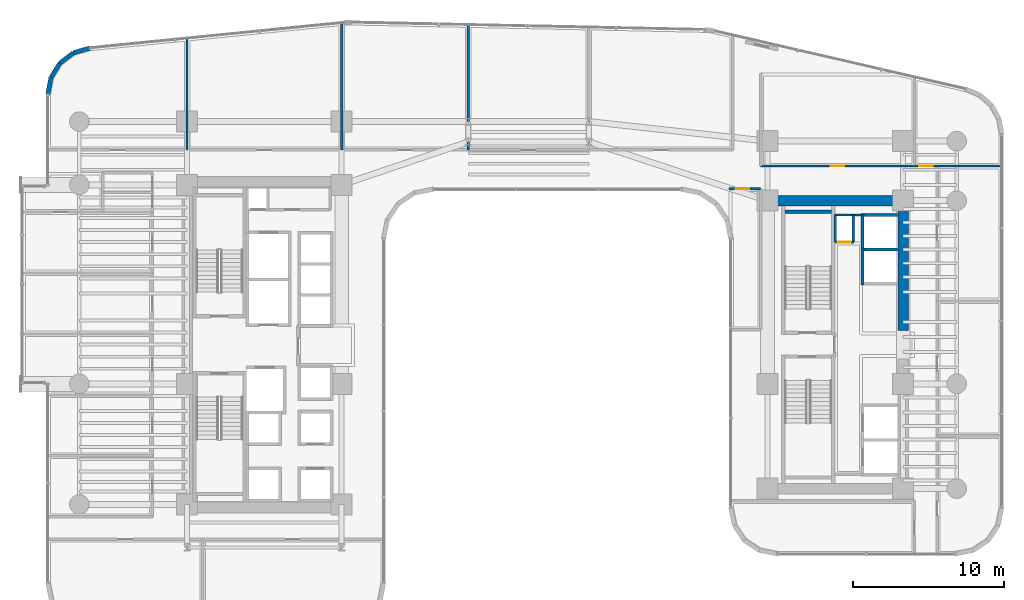
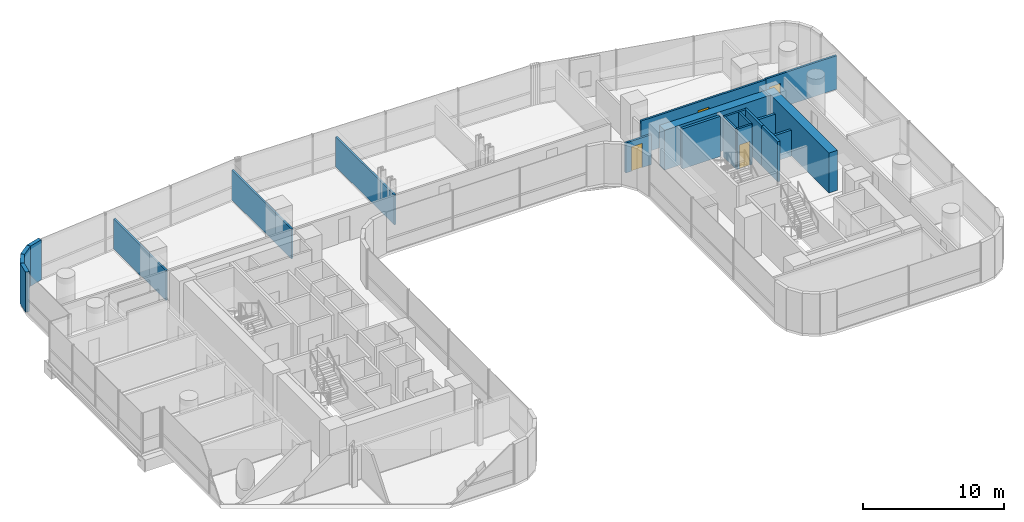
# One storey, part 32 of 38: 21 walls, 4 doors, 4 openings.
"""IFC4 building model written with IfcOpenShell, lengths in metres."""

from ifc_helpers import new_model, si_unit, direction, frame, frame_2d, origin, place, context, subcontext, project, spatial, rectangle, extrude, material, layer, layer_set, type_object, element, fill, save


model = new_model("IFC4")

# Units and contexts
model_context = context("Model", 3, precision=1e-05, world=origin(), true_north=direction((0.0, 1.0)))
body_context = subcontext(model_context, "Body", "Model", "MODEL_VIEW")
ifc_project = project(units=[si_unit("LENGTHUNIT", "METRE"), si_unit("AREAUNIT", "SQUARE_METRE"), si_unit("VOLUMEUNIT", "CUBIC_METRE"), si_unit("PLANEANGLEUNIT", "RADIAN"), si_unit("MASSUNIT", "GRAM", prefix="KILO")], contexts=[model_context])

# Site, building, storey
site_placement = place(None, origin())
site = spatial("IfcSite", under=ifc_project, at=site_placement, CompositionType="ELEMENT")
building_placement = place(site_placement, origin())
building = spatial("IfcBuilding", under=site, at=building_placement, Name="Valdorenza Pilgrim Sanctuary Tower", CompositionType="ELEMENT")
storey_placement = place(building_placement, frame((0.0, 0.0, 37.10009765625)))
storey = spatial("IfcBuildingStorey", under=building, at=storey_placement, Name="L08", CompositionType="ELEMENT", Elevation=37.10009765625)

# Wall, opening, door
ifc_material_1 = material(Name="Acoustic twin-stud gypsum partition", Category="gypsum")
ifc_layer_1 = layer(ifc_material_1, 0.159912109375, Name="Acoustic twin-stud gypsum partition")
ifc_layer_set_1 = layer_set([ifc_layer_1], Name="Acoustic twin-stud gypsum partition")
wall_type_1 = type_object("IfcWallType", Name="WAL-COR-160", PredefinedType="PARTITIONING", material=ifc_layer_set_1)
wall_1_placement = place(storey_placement, frame((20.35009765625, 6.800048828125, 0.0), z_axis=(0.0, 0.0, 1.0), x_axis=(1.0, 0.0, 0.0)))
wall_1 = element("IfcWall", 1, at=wall_1_placement, inside=storey, type_object=wall_type_1, Name="L08 Core B Riser South Wall", PredefinedType="PARTITIONING", context=body_context, shape_type="SweptSolid", body=[
    extrude(rectangle(XDim=1.199951171875, YDim=0.159912109375, at=frame_2d((0.60009765625, 0.0))), origin(), (0.0, 0.0, 1.0), 3.4599609375),
])
opening_1_placement = place(wall_1_placement, frame((0.175048828125, 0.0, 0.0)))
opening_1 = element("IfcOpeningElement", 2, at=opening_1_placement, cuts=wall_1, Name="Opening DR-RS1", PredefinedType="OPENING", context=body_context, shape_type="SweptSolid", body=[
    extrude(rectangle(XDim=0.85009765625, YDim=2.050048828125, at=frame_2d((0.425048828125, 1.02490234375))), frame((0.0, 0.0947265625, 0.0), z_axis=(0.0, -1.0, 0.0), x_axis=(1.0, 0.0, 0.0)), (0.0, 0.0, 1.0), 0.189697265625),
])
ifc_material_2 = material(Name="Painted galvanized steel", Category="steel")
door_type_1 = type_object("IfcDoorType", Name="DR-RSR-850", OperationType="NOTDEFINED", PredefinedType="DOOR", material=ifc_material_2)
door_1_placement = place(opening_1_placement, origin())
door_1 = element("IfcDoor", 3, at=door_1_placement, inside=storey, type_object=door_type_1, Name="L08 Core B Electrical Riser Door", OperationType="SINGLE_SWING_RIGHT", OverallHeight=2.050048828125, OverallWidth=0.85009765625, PredefinedType="DOOR", context=body_context, shape_type="SweptSolid", body=[
    extrude(rectangle(XDim=0.85009765625, YDim=2.050048828125, at=frame_2d((0.425048828125, 1.02490234375))), frame((0.0, 0.02490234375, 0.0), z_axis=(0.0, -1.0, 0.0), x_axis=(1.0, 0.0, 0.0)), (0.0, 0.0, 1.0), 0.050048828125),
])
fill(opening_1, door_1)

# Walls
for number, where, z_axis, x_axis, name in (
    (4, (21.550048828125, 6.800048828125, 0.0), (0.0, 0.0, 1.0), (0.0, 1.0, 0.0), "L08 Core B Riser East Wall"),
    (5, (20.35009765625, 6.800048828125, 0.0), (0.0, 0.0, 1.0), (0.0, 1.0, 0.0), "L08 Core B Riser West Wall"),
):
    element("IfcWall", number, at=place(storey_placement, frame(where, z_axis=z_axis, x_axis=x_axis)), inside=storey, type_object=wall_type_1, Name=name, PredefinedType="PARTITIONING", context=body_context, shape_type="SweptSolid", body=[
        extrude(rectangle(XDim=1.800048828125, YDim=0.159912109375, at=frame_2d((0.89990234375, 0.0))), origin(), (0.0, 0.0, 1.0), 3.4599609375),
    ])
wall_2_placement = place(storey_placement, frame((20.300048828125, 8.60009765625, 0.0), z_axis=(0.0, 0.0, 1.0), x_axis=(1.0, 0.0, 0.0)))
element("IfcWall", 6, at=wall_2_placement, inside=storey, type_object=wall_type_1, Name="L08 Core B Lift Hall North End Wall", PredefinedType="PARTITIONING", context=body_context, shape_type="SweptSolid", body=[
    extrude(rectangle(XDim=1.820068359375, YDim=0.159912109375, at=frame_2d((0.91015625, 0.0))), origin(), (0.0, 0.0, 1.0), 3.4599609375),
])

# Wall, opening, door
wall_3_placement = place(storey_placement, frame((15.39990234375, 11.85009765625, 0.0), z_axis=(0.0, 0.0, 1.0), x_axis=(1.0, 0.0, 0.0)))
wall_3 = element("IfcWall", 7, at=wall_3_placement, inside=storey, type_object=wall_type_1, Name="L08 Wing B North Corridor Wall", PredefinedType="PARTITIONING", context=body_context, shape_type="SweptSolid", body=[
    extrude(rectangle(XDim=10.2001953125, YDim=0.159912109375, at=frame_2d((5.10009765625, 0.0))), origin(), (0.0, 0.0, 1.0), 2.833984375),
])
opening_2_placement = place(wall_3_placement, frame((4.64990234375, 0.0, 0.0)))
opening_2 = element("IfcOpeningElement", 8, at=opening_2_placement, cuts=wall_3, Name="Opening DR-RM1", PredefinedType="OPENING", context=body_context, shape_type="SweptSolid", body=[
    extrude(rectangle(XDim=0.89990234375, YDim=2.10009765625, at=frame_2d((0.449951171875, 1.050048828125))), frame((0.0, 0.0947265625, 0.0), z_axis=(0.0, -1.0, 0.0), x_axis=(1.0, 0.0, 0.0)), (0.0, 0.0, 1.0), 0.189697265625),
])
ifc_material_3 = material(Name="Solid-core European oak timber", Category="wood")
door_type_2 = type_object("IfcDoorType", Name="DR-ROOM-900", OperationType="NOTDEFINED", PredefinedType="DOOR", material=ifc_material_3)
door_2_placement = place(opening_2_placement, origin())
door_2 = element("IfcDoor", 9, at=door_2_placement, inside=storey, type_object=door_type_2, Name="L08 Curator Research Office L08-BN1 Door", OperationType="SINGLE_SWING_RIGHT", OverallHeight=2.10009765625, OverallWidth=0.89990234375, PredefinedType="DOOR", context=body_context, shape_type="SweptSolid", body=[
    extrude(rectangle(XDim=0.89990234375, YDim=2.10009765625, at=frame_2d((0.449951171875, 1.050048828125))), frame((0.0, 0.02490234375, 0.0), z_axis=(0.0, -1.0, 0.0), x_axis=(1.0, 0.0, 0.0)), (0.0, 0.0, 1.0), 0.050048828125),
])
fill(opening_2, door_2)

wall_4_placement = place(storey_placement, frame((25.60009765625, 11.85009765625, 0.0), z_axis=(0.0, 0.0, 1.0), x_axis=(1.0, 0.0, 0.0)))
wall_4 = element("IfcWall", 10, at=wall_4_placement, inside=storey, type_object=wall_type_1, Name="L08 East Wing NE Corner South Wall", PredefinedType="PARTITIONING", context=body_context, shape_type="SweptSolid", body=[
    extrude(rectangle(XDim=5.789794921875, YDim=0.159912109375, at=frame_2d((2.89501953125, 0.0))), origin(), (0.0, 0.0, 1.0), 2.89599609375),
])
opening_3_placement = place(wall_4_placement, frame((0.300048828125, 0.0, 0.0)))
opening_3 = element("IfcOpeningElement", 11, at=opening_3_placement, cuts=wall_4, Name="Opening DR-RM1", PredefinedType="OPENING", context=body_context, shape_type="SweptSolid", body=[
    extrude(rectangle(XDim=0.89990234375, YDim=2.10009765625, at=frame_2d((0.449951171875, 1.050048828125))), frame((0.0, 0.0947265625, 0.0), z_axis=(0.0, -1.0, 0.0), x_axis=(1.0, 0.0, 0.0)), (0.0, 0.0, 1.0), 0.189697265625),
])
door_3_placement = place(opening_3_placement, origin())
door_3 = element("IfcDoor", 12, at=door_3_placement, inside=storey, type_object=door_type_2, Name="L08 East North Alcove Office L08 Door", OperationType="SINGLE_SWING_RIGHT", OverallHeight=2.10009765625, OverallWidth=0.89990234375, PredefinedType="DOOR", context=body_context, shape_type="SweptSolid", body=[
    extrude(rectangle(XDim=0.89990234375, YDim=2.10009765625, at=frame_2d((0.449951171875, 1.050048828125))), frame((0.0, 0.02490234375, 0.0), z_axis=(0.0, -1.0, 0.0), x_axis=(1.0, 0.0, 0.0)), (0.0, 0.0, 1.0), 0.050048828125),
])
fill(opening_3, door_3)

wall_5_placement = place(storey_placement, frame((13.300048828125, 10.35009765625, 0.0), z_axis=(0.0, 0.0, 1.0), x_axis=(1.0, 0.0, 0.0)))
wall_5 = element("IfcWall", 13, at=wall_5_placement, inside=storey, type_object=wall_type_1, Name="L08 Courtyard Overlook North Wall", PredefinedType="PARTITIONING", context=body_context, shape_type="SweptSolid", body=[
    extrude(rectangle(XDim=2.099853515625, YDim=0.159912109375, at=frame_2d((1.0498046875, 0.0))), origin(), (0.0, 0.0, 1.0), 2.5830078125),
])
opening_4_placement = place(wall_5_placement, frame((0.449951171875, 0.0, 0.0)))
opening_4 = element("IfcOpeningElement", 14, at=opening_4_placement, cuts=wall_5, Name="Opening DR-RM1", PredefinedType="OPENING", context=body_context, shape_type="SweptSolid", body=[
    extrude(rectangle(XDim=0.89990234375, YDim=2.10009765625, at=frame_2d((0.449951171875, 1.050048828125))), frame((0.0, 0.0947265625, 0.0), z_axis=(0.0, -1.0, 0.0), x_axis=(1.0, 0.0, 0.0)), (0.0, 0.0, 1.0), 0.189697265625),
])
door_4_placement = place(opening_4_placement, origin())
door_4 = element("IfcDoor", 15, at=door_4_placement, inside=storey, type_object=door_type_2, Name="L08 Courtyard Overlook Salon Door", OperationType="SINGLE_SWING_RIGHT", OverallHeight=2.10009765625, OverallWidth=0.89990234375, PredefinedType="DOOR", context=body_context, shape_type="SweptSolid", body=[
    extrude(rectangle(XDim=0.89990234375, YDim=2.10009765625, at=frame_2d((0.449951171875, 1.050048828125))), frame((0.0, 0.02490234375, 0.0), z_axis=(0.0, -1.0, 0.0), x_axis=(1.0, 0.0, 0.0)), (0.0, 0.0, 1.0), 0.050048828125),
])
fill(opening_4, door_4)

# Walls
ifc_material_4 = material(Name="Concrete C60/75", Category="concrete")
ifc_layer_2 = layer(ifc_material_4, 0.699951171875, Name="Concrete C60/75")
ifc_layer_set_2 = layer_set([ifc_layer_2], Name="Concrete C60/75")
wall_type_2 = type_object("IfcWallType", Name="WAL-COR-700", PredefinedType="SHEAR", material=ifc_layer_set_2)
wall_6_placement = place(storey_placement, frame((24.85009765625, 0.949951171875, 0.0), z_axis=(0.0, 0.0, 1.0), x_axis=(0.0, 1.0, 0.0)))
element("IfcWall", 16, at=wall_6_placement, inside=storey, type_object=wall_type_2, Name="L08 Split Core B Shear Wall EN", PredefinedType="SHEAR", context=body_context, shape_type="SweptSolid", body=[
    extrude(rectangle(XDim=8.949951171875, YDim=0.699951171875, at=frame_2d((4.47509765625, 0.0))), origin(), (0.0, 0.0, 1.0), 3.4599609375),
])
wall_7_placement = place(storey_placement, frame((15.85009765625, 9.550048828125, 0.0), z_axis=(0.0, 0.0, 1.0), x_axis=(1.0, 0.0, 0.0)))
element("IfcWall", 17, at=wall_7_placement, inside=storey, type_object=wall_type_2, Name="L08 Split Core B Shear Wall N", PredefinedType="SHEAR", context=body_context, shape_type="SweptSolid", body=[
    extrude(rectangle(XDim=9.0, YDim=0.699951171875, at=frame_2d((4.5, 0.0))), origin(), (0.0, 0.0, 1.0), 3.4599609375),
])
ifc_material_5 = material(Name="Honed travertine limestone", Category="masonry")
ifc_layer_3 = layer(ifc_material_5, 0.300048828125, Name="Honed travertine limestone")
ifc_layer_set_3 = layer_set([ifc_layer_3], Name="Honed travertine limestone")
wall_type_3 = type_object("IfcWallType", Name="WAL-EXT-300", PredefinedType="SOLIDWALL", material=ifc_layer_set_3)
wall_8_placement = place(storey_placement, frame((-31.889892578125, 16.593994140625, 0.0), z_axis=(0.0, 0.0, 1.0), x_axis=(0.182748995683, 0.9831596028, 0.0)))
element("IfcWall", 18, at=wall_8_placement, inside=storey, type_object=wall_type_3, Name="L08 Rounded Wind-Corner Stone Pier 2", PredefinedType="SOLIDWALL", context=body_context, shape_type="SweptSolid", body=[
    extrude(rectangle(XDim=1.1396484375, YDim=0.300048828125, at=frame_2d((0.56982421875, 0.0))), origin(), (0.0, 0.0, 1.0), 3.4599609375),
])
wall_9_placement = place(storey_placement, frame((-31.681640625, 17.71435546875, 0.0), z_axis=(0.0, 0.0, 1.0), x_axis=(0.524157723014, 0.8516212077, 0.0)))
element("IfcWall", 19, at=wall_9_placement, inside=storey, type_object=wall_type_3, Name="L08 Rounded Wind-Corner Stone Pier 3", PredefinedType="SOLIDWALL", context=body_context, shape_type="SweptSolid", body=[
    extrude(rectangle(XDim=1.12939453125, YDim=0.300048828125, at=frame_2d((0.564697265625, 0.0))), origin(), (0.0, 0.0, 1.0), 3.4599609375),
])
wall_10_placement = place(storey_placement, frame((-31.089599609375, 18.67626953125, 0.0), z_axis=(0.0, 0.0, 1.0), x_axis=(0.795253002434, 0.606277710393, 0.0)))
element("IfcWall", 20, at=wall_10_placement, inside=storey, type_object=wall_type_3, Name="L08 Rounded Wind-Corner Stone Pier 4", PredefinedType="SOLIDWALL", context=body_context, shape_type="SweptSolid", body=[
    extrude(rectangle(XDim=1.129150390625, YDim=0.300048828125, at=frame_2d((0.564453125, 0.0))), origin(), (0.0, 0.0, 1.0), 3.4599609375),
])
wall_11_placement = place(storey_placement, frame((-30.191650390625, 19.36083984375, 0.0), z_axis=(0.0, 0.0, 1.0), x_axis=(0.960071941549, 0.279753225271, 0.0)))
element("IfcWall", 21, at=wall_11_placement, inside=storey, type_object=wall_type_3, Name="L08 Rounded Wind-Corner Stone Pier 5", PredefinedType="SOLIDWALL", context=body_context, shape_type="SweptSolid", body=[
    extrude(rectangle(XDim=1.1396484375, YDim=0.300048828125, at=frame_2d((0.56982421875, 0.0))), origin(), (0.0, 0.0, 1.0), 3.4599609375),
])
ifc_material_6 = material(Name="Autoclaved aerated concrete blockwork", Category="masonry")
ifc_layer_4 = layer(ifc_material_6, 0.199951171875, Name="Autoclaved aerated concrete blockwork")
ifc_layer_set_4 = layer_set([ifc_layer_4], Name="Autoclaved aerated concrete blockwork")
wall_type_4 = type_object("IfcWallType", Name="WAL-SHF-200", PredefinedType="MOVABLE", material=ifc_layer_set_4)
wall_12_placement = place(storey_placement, frame((22.14990234375, 3.949951171875, 0.0), z_axis=(0.0, 0.0, 1.0), x_axis=(0.0, 1.0, 0.0)))
element("IfcWall", 22, at=wall_12_placement, inside=storey, type_object=wall_type_4, Name="L08 Lift PL-07 Hoistway Wall West", PredefinedType="MOVABLE", context=body_context, shape_type="SweptSolid", body=[
    extrude(rectangle(XDim=2.47509765625, YDim=0.199951171875, at=frame_2d((1.237548828125, 0.0))), origin(), (0.0, 0.0, 1.0), 3.4599609375),
])
wall_13_placement = place(storey_placement, frame((22.25, 6.324951171875, 0.0), z_axis=(0.0, 0.0, 1.0), x_axis=(1.0, 0.0, 0.0)))
element("IfcWall", 23, at=wall_13_placement, inside=storey, type_object=wall_type_4, Name="L08 Lift PL-07 Hoistway Wall North", PredefinedType="MOVABLE", context=body_context, shape_type="SweptSolid", body=[
    extrude(rectangle(XDim=2.22998046875, YDim=0.199951171875, at=frame_2d((1.114990234375, 0.0))), origin(), (0.0, 0.0, 1.0), 2.244873046875),
])
wall_14_placement = place(storey_placement, frame((22.14990234375, 6.22509765625, 0.0), z_axis=(0.0, 0.0, 1.0), x_axis=(0.0, 1.0, 0.0)))
element("IfcWall", 24, at=wall_14_placement, inside=storey, type_object=wall_type_4, Name="L08 Lift PL-08 Hoistway Wall West", PredefinedType="MOVABLE", context=body_context, shape_type="SweptSolid", body=[
    extrude(rectangle(XDim=2.474853515625, YDim=0.199951171875, at=frame_2d((1.2373046875, 0.0))), origin(), (0.0, 0.0, 1.0), 3.4599609375),
])
wall_15_placement = place(storey_placement, frame((22.25, 8.60009765625, 0.0), z_axis=(0.0, 0.0, 1.0), x_axis=(1.0, 0.0, 0.0)))
element("IfcWall", 25, at=wall_15_placement, inside=storey, type_object=wall_type_4, Name="L08 Lift PL-08 Hoistway Wall North", PredefinedType="MOVABLE", context=body_context, shape_type="SweptSolid", body=[
    extrude(rectangle(XDim=2.22998046875, YDim=0.199951171875, at=frame_2d((1.114990234375, 0.0))), origin(), (0.0, 0.0, 1.0), 2.244873046875),
])
ifc_material_7 = material(Name="Concrete C40/50", Category="concrete")
ifc_layer_5 = layer(ifc_material_7, 0.219970703125, Name="Concrete C40/50")
ifc_layer_set_5 = layer_set([ifc_layer_5], Name="Concrete C40/50")
wall_type_5 = type_object("IfcWallType", Name="WAL-STR-SHF-220", PredefinedType="SHEAR", material=ifc_layer_set_5)
wall_16_placement = place(storey_placement, frame((17.0, 8.81005859375, 0.0), z_axis=(0.0, 0.0, 1.0), x_axis=(1.0, 0.0, 0.0)))
element("IfcWall", 26, at=wall_16_placement, inside=storey, type_object=wall_type_5, Name="L08 ST-B1 Structural Stairwell Wall N", PredefinedType="SHEAR", context=body_context, shape_type="SweptSolid", body=[
    extrude(rectangle(XDim=3.110107421875, YDim=0.219970703125, at=frame_2d((1.55517578125, 0.0))), origin(), (0.0, 0.0, 1.0), 3.4599609375),
])
ifc_layer_6 = layer(ifc_material_1, 0.14990234375, Name="Acoustic twin-stud gypsum partition")
ifc_layer_set_6 = layer_set([ifc_layer_6], Name="Acoustic twin-stud gypsum partition")
wall_type_6 = type_object("IfcWallType", Name="WAL-UNT-150", PredefinedType="PARTITIONING", material=ifc_layer_set_6)
wall_17_placement = place(storey_placement, frame((-22.64990234375, 12.919921875, 0.0), z_axis=(0.0, 0.0, 1.0), x_axis=(0.0, 1.0, 0.0)))
element("IfcWall", 27, at=wall_17_placement, inside=storey, type_object=wall_type_6, Name="L08 North Grid Office Wall 1", PredefinedType="PARTITIONING", context=body_context, shape_type="SweptSolid", body=[
    extrude(rectangle(XDim=7.404541015625, YDim=0.14990234375, at=frame_2d((3.7021484375, 0.0))), origin(), (0.0, 0.0, 1.0), 2.5830078125),
])
wall_18_placement = place(storey_placement, frame((-12.39990234375, 12.919921875, 0.0), z_axis=(0.0, 0.0, 1.0), x_axis=(0.0, 1.0, 0.0)))
element("IfcWall", 28, at=wall_18_placement, inside=storey, type_object=wall_type_6, Name="L08 North Grid Office Wall 2", PredefinedType="PARTITIONING", context=body_context, shape_type="SweptSolid", body=[
    extrude(rectangle(XDim=8.4296875, YDim=0.14990234375, at=frame_2d((4.21484375, 0.0))), origin(), (0.0, 0.0, 1.0), 2.5830078125),
])
wall_19_placement = place(storey_placement, frame((-4.0, 12.919921875, 0.0), z_axis=(0.0, 0.0, 1.0), x_axis=(0.0, 1.0, 0.0)))
element("IfcWall", 29, at=wall_19_placement, inside=storey, type_object=wall_type_6, Name="L08 North Grid Office Wall 3", PredefinedType="PARTITIONING", context=body_context, shape_type="SweptSolid", body=[
    extrude(rectangle(XDim=8.303466796875, YDim=0.14990234375, at=frame_2d((4.15185546875, 0.0))), origin(), (0.0, 0.0, 1.0), 2.5830078125),
])

save(model, "model.ifc")
